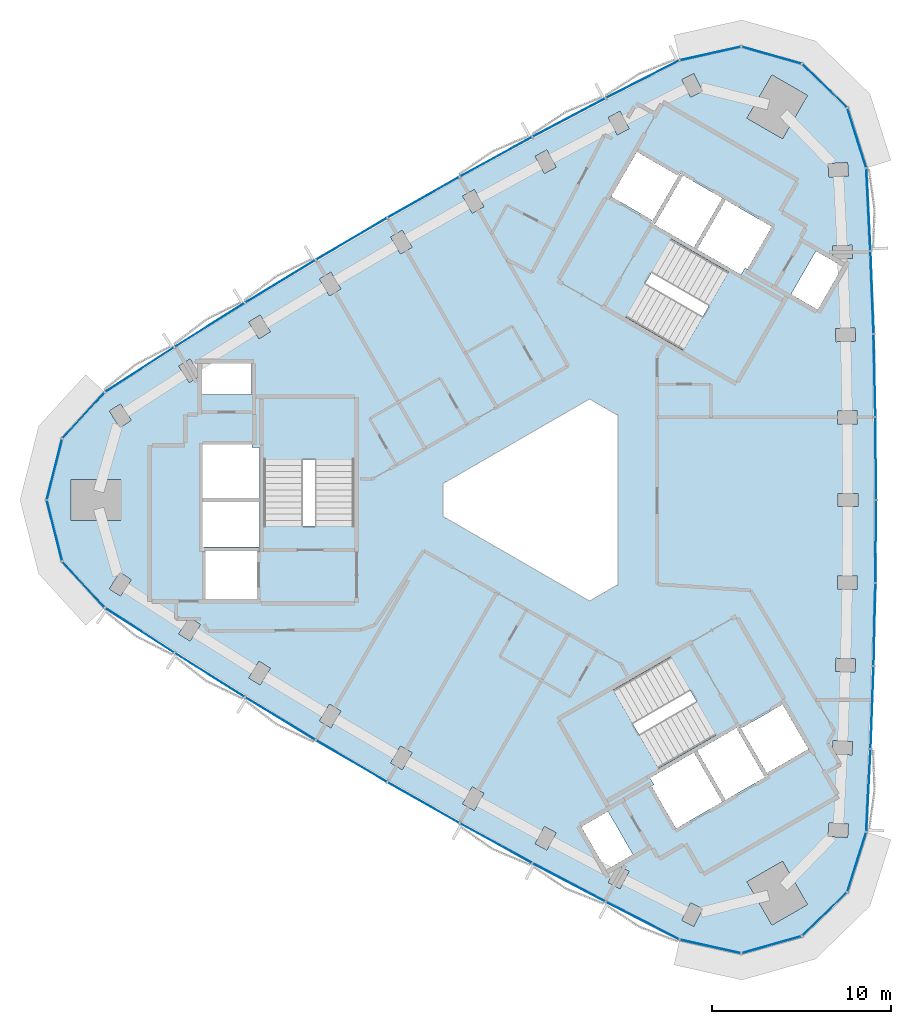
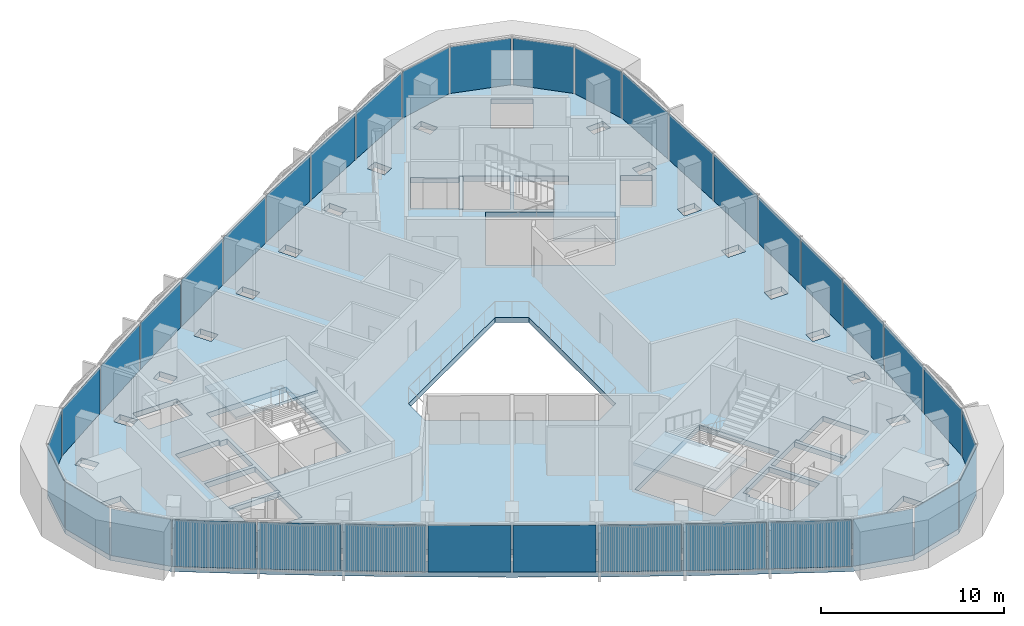
# One storey, part 7 of 14: 36 plates, 4 slabs, 6 elements without a shape of their own.
"""IFC4 building model written with IfcOpenShell, lengths in metres."""

import ifcopenshell
import ifcopenshell.guid

model = None  # the IFC model being written
_history = None  # IfcOwnerHistory: only IFC2X3 demands one
_inside = {}  # id of a spatial element -> (the spatial element, [elements in it])
_under = {}  # id of a project, library or spatial element -> (it, [spatial elements below it])
_declared = {}  # id of a project -> (the project, [libraries it declares])
_typed = {}  # id of a type object -> (the type object, [elements of that type])
_made_of = {}  # id of a material, layer set ... -> (it, [elements and type objects made of it])


def new_model(schema):
    """Start an empty IFC model of exactly this schema.

    Asked for "IFC4X3", IfcOpenShell would pick the latest addendum, in which some entities
    have other attributes; the version numbers below select the first issue.
    IFC2X3 requires an IfcOwnerHistory on every rooted entity: one is made here for all.
    """
    global model, _history
    if schema == "IFC4X3":
        model = ifcopenshell.file(schema_version=(4, 3, 0, 0))
    else:
        model = ifcopenshell.file(schema=schema)
    _inside.clear()
    _under.clear()
    _declared.clear()
    _typed.clear()
    _made_of.clear()
    _history = None
    if model.schema == "IFC2X3":
        org = make("IfcOrganization", Name="unknown")
        user = make(
            "IfcPersonAndOrganization",
            ThePerson=make("IfcPerson", FamilyName="unknown"),
            TheOrganization=org,
        )
        app = make(
            "IfcApplication",
            ApplicationDeveloper=org,
            Version="unknown",
            ApplicationFullName="unknown",
            ApplicationIdentifier="unknown",
        )
        _history = make(
            "IfcOwnerHistory",
            OwningUser=user,
            OwningApplication=app,
            ChangeAction="ADDED",
            CreationDate=0,
        )
    return model


def make(cls, **values):
    """One entity of the class cls with the attributes given. An attribute that is None is left unset."""
    return model.create_entity(
        cls, **{name: value for name, value in values.items() if value is not None}
    )


def rooted(cls, **values):
    """An entity with a GlobalId (a new one), such as an element, a storey or a relation."""
    return make(cls, GlobalId=ifcopenshell.guid.new(), OwnerHistory=_history, **values)


def si_unit(unit_type, name, prefix=None):
    """IfcSIUnit, for example si_unit("LENGTHUNIT", "METRE", prefix="MILLI")."""
    return make("IfcSIUnit", UnitType=unit_type, Prefix=prefix, Name=name)


def assignment(units):
    """IfcUnitAssignment: the units of a project."""
    return None if units is None else make("IfcUnitAssignment", Units=units)


def point(xyz):
    """IfcCartesianPoint."""
    return None if xyz is None else make("IfcCartesianPoint", Coordinates=xyz)


def direction(xyz):
    """IfcDirection."""
    return None if xyz is None else make("IfcDirection", DirectionRatios=xyz)


def frame(location, z_axis=None, x_axis=None):
    """IfcAxis2Placement3D, a coordinate frame: its origin and axes. An axis left out is left unset."""
    return make(
        "IfcAxis2Placement3D",
        Location=point(location),
        Axis=direction(z_axis),
        RefDirection=direction(x_axis),
    )


def frame_2d(location, x_axis=None):
    """IfcAxis2Placement2D, a coordinate frame in the plane: its origin and x axis."""
    return make(
        "IfcAxis2Placement2D", Location=point(location), RefDirection=direction(x_axis)
    )


def origin():
    """The frame at (0, 0, 0) with its axes left unset."""
    return frame((0.0, 0.0, 0.0))


def origin_2d():
    """The frame at (0, 0) in the plane with its x axis left unset."""
    return frame_2d((0.0, 0.0))


def place(relative_to, where):
    """IfcLocalPlacement: puts the frame where relative to a parent placement (None: the world)."""
    return make(
        "IfcLocalPlacement", PlacementRelTo=relative_to, RelativePlacement=where
    )


def context(
    kind, dimensions, precision=None, world=None, true_north=None, identifier=None
):
    """IfcGeometricRepresentationContext, for example the 3D "Model" context."""
    return make(
        "IfcGeometricRepresentationContext",
        ContextIdentifier=identifier,
        ContextType=kind,
        CoordinateSpaceDimension=dimensions,
        Precision=precision,
        WorldCoordinateSystem=world,
        TrueNorth=true_north,
    )


def subcontext(parent, identifier, kind, view, scale=None):
    """IfcGeometricRepresentationSubContext, for example "Body" below "Model"."""
    return make(
        "IfcGeometricRepresentationSubContext",
        ContextIdentifier=identifier,
        ContextType=kind,
        ParentContext=parent,
        TargetScale=scale,
        TargetView=view,
    )


def project(units=None, contexts=None):
    """IfcProject with its units and contexts."""
    return rooted(
        "IfcProject",
        Name="project",
        RepresentationContexts=contexts,
        UnitsInContext=assignment(units),
    )


def spatial(cls, under=None, at=None, **own):
    """A site, building, storey or space (cls), placed at a placement, below another one or the project."""
    s = rooted(cls, ObjectPlacement=at, **own)
    if under is not None:
        _under.setdefault(under.id(), (under, []))[1].append(s)
    return s


def polyline(points):
    """IfcPolyline through the points."""
    return make("IfcPolyline", Points=[point(p) for p in points])


def profile(cls, at=None, kind="AREA", **sizes):
    """A parametric profile (cls). Its sizes go by their IFC names, for example OverallWidth=200.0."""
    return make(cls, ProfileType=kind, Position=at, **sizes)


def rectangle(**sizes):
    """IfcRectangleProfileDef."""
    return profile("IfcRectangleProfileDef", **sizes)


def outline(outer, holes=None, kind="AREA"):
    """IfcArbitraryClosedProfileDef: a profile drawn as a closed curve; with holes, ...WithVoids."""
    if holes is None:
        return make("IfcArbitraryClosedProfileDef", ProfileType=kind, OuterCurve=outer)
    return make(
        "IfcArbitraryProfileDefWithVoids",
        ProfileType=kind,
        OuterCurve=outer,
        InnerCurves=holes,
    )


def extrude(swept, where, along, depth):
    """IfcExtrudedAreaSolid: the profile swept, set in the frame where, extruded along a direction by depth."""
    return make(
        "IfcExtrudedAreaSolid",
        SweptArea=swept,
        Position=where,
        ExtrudedDirection=direction(along),
        Depth=depth,
    )


def shape(context_of_items, identifier, shape_type, items):
    """IfcShapeRepresentation: the items that make up one representation, for example the "Body"."""
    return make(
        "IfcShapeRepresentation",
        ContextOfItems=context_of_items,
        RepresentationIdentifier=identifier,
        RepresentationType=shape_type,
        Items=items,
    )


def material(Name=None, Category=None):
    """IfcMaterial."""
    return make("IfcMaterial", Name=Name, Category=Category)


def layer(
    of_material, thickness, ventilated=None, Name=None, Category=None, Priority=None
):
    """IfcMaterialLayer: one layer of a wall or slab, of a material (None: an air gap)."""
    return make(
        "IfcMaterialLayer",
        Material=of_material,
        LayerThickness=thickness,
        IsVentilated=ventilated,
        Name=Name,
        Category=Category,
        Priority=Priority,
    )


def layer_set(layers, Name=None):
    """IfcMaterialLayerSet."""
    return make("IfcMaterialLayerSet", MaterialLayers=layers, LayerSetName=Name)


def made_of(thing, what):
    """Note that an element or type object is made of a material, layer set ...; save() writes the relation."""
    if what is not None:
        _made_of.setdefault(what.id(), (what, []))[1].append(thing)
    return thing


def type_object(cls, material=None, **own):
    """A type object (cls), such as IfcWallType, which elements share."""
    return made_of(rooted(cls, **own), material)


def element(
    cls,
    number,
    at=None,
    inside=None,
    cuts=None,
    type_object=None,
    material=None,
    context=None,
    identifier="Body",
    shape_type=None,
    held_by="IfcProductDefinitionShape",
    body=None,
    shapes=None,
    **own,
):
    """One element of the class cls, such as IfcWall. Its Tag is "e" and its number.

    at: its placement. inside: the storey or other place that contains it. cuts: it is an
    opening in that element (IfcRelVoidsElement). A single representation is given by context,
    identifier, shape_type and body (its items); several are given by shapes. held_by: the class
    of the entity that holds the representations. save() writes the other relations.
    """
    e = rooted(cls, Tag="e%d" % number, ObjectPlacement=at, **own)
    if body is not None:
        shapes = [shape(context, identifier, shape_type, body)]
    if shapes is not None:
        e.Representation = make(held_by, Representations=shapes)
    if inside is not None:
        _inside.setdefault(inside.id(), (inside, []))[1].append(e)
    if cuts is not None:
        rooted(
            "IfcRelVoidsElement", RelatingBuildingElement=cuts, RelatedOpeningElement=e
        )
    if type_object is not None:
        _typed.setdefault(type_object.id(), (type_object, []))[1].append(e)
    return made_of(e, material)


def aggregate(whole, parts):
    """IfcRelAggregates: a whole, such as a stair, and the parts it consists of."""
    return rooted("IfcRelAggregates", RelatingObject=whole, RelatedObjects=parts)


def save(model, path):
    """Write the relations noted so far, then the file.

    IfcRelAggregates (storeys below a building ...), IfcRelContainedInSpatialStructure (elements
    in a storey), IfcRelDefinesByType, IfcRelAssociatesMaterial and IfcRelDeclares: one each for
    every whole, place, type object, material and project.
    """
    for whole, parts in _under.values():
        aggregate(whole, parts)
    for where, things in _inside.values():
        rooted(
            "IfcRelContainedInSpatialStructure",
            RelatedElements=things,
            RelatingStructure=where,
        )
    for kind, things in _typed.values():
        rooted("IfcRelDefinesByType", RelatedObjects=things, RelatingType=kind)
    for what, things in _made_of.values():
        rooted("IfcRelAssociatesMaterial", RelatedObjects=things, RelatingMaterial=what)
    for by, libraries in _declared.values():
        rooted("IfcRelDeclares", RelatingContext=by, RelatedDefinitions=libraries)
    model.write(path)


model = new_model("IFC4")

# Units and contexts
model_context = context("Model", 3, precision=1e-05, world=origin(), true_north=direction((0.0, 1.0)))
body_context = subcontext(model_context, "Body", "Model", "MODEL_VIEW")
ifc_project = project(units=[si_unit("LENGTHUNIT", "METRE"), si_unit("AREAUNIT", "SQUARE_METRE"), si_unit("VOLUMEUNIT", "CUBIC_METRE"), si_unit("PLANEANGLEUNIT", "RADIAN"), si_unit("MASSUNIT", "GRAM", prefix="KILO")], contexts=[model_context])

# Site, building, storey
site_placement = place(None, origin())
site = spatial("IfcSite", under=ifc_project, at=site_placement, CompositionType="ELEMENT")
building_placement = place(site_placement, origin())
building = spatial("IfcBuilding", under=site, at=building_placement, Name="Tamra Quay Hotel Tower", CompositionType="ELEMENT")
storey_placement = place(building_placement, frame((0.0, 0.0, 228.60009765625)))
storey = spatial("IfcBuildingStorey", under=building, at=storey_placement, Name="L57", CompositionType="ELEMENT", Elevation=228.60009765625)

# Stair, slab
ifc_material_1 = material(Name="Exit stair 2200 24 risers 150.0 going 342")
stair_type = type_object("IfcStairType", Name="Exit stair 2200 24 risers 150.0 going 342", PredefinedType="HALF_TURN_STAIR", material=ifc_material_1)
stair_1_placement = place(storey_placement, origin())
stair_1 = element("IfcStair", 1, at=stair_1_placement, inside=storey, type_object=stair_type, Name="L57 Exit stair ST3", PredefinedType="HALF_TURN_STAIR")
ifc_material_2 = material(Name="Concrete M70", Category="concrete")
ifc_layer_1 = layer(ifc_material_2, 0.175048828125)
ifc_layer_set_1 = layer_set([ifc_layer_1], Name="Concrete M70 stair landing 180")
slab_type_1 = type_object("IfcSlabType", Name="Concrete M70 stair landing 180", PredefinedType="LANDING", material=ifc_layer_set_1)
slab_1_placement = place(storey_placement, frame((0.0, 0.0, 1.625)))
slab_1 = element("IfcSlab", 2, at=slab_1_placement, type_object=slab_type_1, Name="ST3 landing 1", PredefinedType="LANDING", context=body_context, shape_type="SweptSolid", body=[
    extrude(outline(polyline([(-10.932373046875, 2.261962890625), (-10.932373046875, 5.679931640625), (-16.09130859375, 5.679931640625), (-16.09130859375, 2.261962890625), (-10.932373046875, 2.261962890625)])), origin(), (0.0, 0.0, 1.0), 0.1748046875),
])
aggregate(stair_1, [slab_1])

stair_2_placement = place(storey_placement, origin())
stair_2 = element("IfcStair", 3, at=stair_2_placement, inside=storey, type_object=stair_type, Name="L57 Exit stair ST1", PredefinedType="HALF_TURN_STAIR")
slab_2_placement = place(storey_placement, frame((0.0, 0.0, 1.625)))
slab_2 = element("IfcSlab", 4, at=slab_2_placement, type_object=slab_type_1, Name="ST1 landing 1", PredefinedType="LANDING", context=body_context, shape_type="SweptSolid", body=[
    extrude(outline(polyline([(7.425048828125, 8.336669921875), (10.385009765625, 6.627685546875), (12.964599609375, 11.095458984375), (10.00439453125, 12.804443359375), (7.425048828125, 8.336669921875)])), origin(), (0.0, 0.0, 1.0), 0.1748046875),
])
aggregate(stair_2, [slab_2])

stair_3_placement = place(storey_placement, origin())
stair_3 = element("IfcStair", 5, at=stair_3_placement, inside=storey, type_object=stair_type, Name="L57 Exit stair ST2", PredefinedType="HALF_TURN_STAIR")
slab_3_placement = place(storey_placement, frame((0.0, 0.0, 1.625)))
slab_3 = element("IfcSlab", 6, at=slab_3_placement, type_object=slab_type_1, Name="ST2 landing 1", PredefinedType="LANDING", context=body_context, shape_type="SweptSolid", body=[
    extrude(outline(polyline([(3.50732421875, -10.5986328125), (0.547119140625, -12.3076171875), (3.126708984375, -16.775390625), (6.086669921875, -15.06640625), (3.50732421875, -10.5986328125)])), origin(), (0.0, 0.0, 1.0), 0.1748046875),
])
aggregate(stair_3, [slab_3])

# Slab
ifc_material_3 = material(Name="Concrete M60", Category="concrete")
ifc_layer_2 = layer(ifc_material_3, 0.35009765625)
ifc_layer_set_2 = layer_set([ifc_layer_2], Name="FLOOR SLAB PT 350")
slab_type_2 = type_object("IfcSlabType", Name="FLOOR SLAB PT 350", PredefinedType="FLOOR", material=ifc_layer_set_2)
slab_4_placement = place(storey_placement, frame((0.0, 0.0, -0.35009765625)))
element("IfcSlab", 7, at=slab_4_placement, inside=storey, type_object=slab_type_2, Name="SLAB-L57", PredefinedType="FLOOR", context=body_context, shape_type="SweptSolid", body=[
    extrude(outline(polyline([(17.935791015625, 13.94091796875), (18.106689453125, 9.29541015625), (18.208984375, 4.648681640625), (18.243408203125, 0.0), (18.208984375, -4.648681640625), (18.106689453125, -9.29541015625), (17.935791015625, -13.94091796875), (17.69677734375, -18.5830078125), (16.633056640625, -21.9541015625), (14.09716796875, -24.4169921875), (10.6962890625, -25.3818359375), (7.244873046875, -24.617431640625), (3.105224609375, -22.50341796875), (-1.00341796875, -20.328369140625), (-5.078857421875, -18.093994140625), (-9.12158203125, -15.79931640625), (-13.13037109375, -13.4453125), (-17.103271484375, -11.033203125), (-21.041015625, -8.5625), (-24.941650390625, -6.034423828125), (-27.329345703125, -3.427490234375), (-28.1943359375, 0.0), (-27.329345703125, 3.427490234375), (-24.941650390625, 6.034423828125), (-21.041015625, 8.5625), (-17.103271484375, 11.033203125), (-13.13037109375, 13.4453125), (-9.12158203125, 15.79931640625), (-5.078857421875, 18.093994140625), (-1.00341796875, 20.328369140625), (3.105224609375, 22.50341796875), (7.244873046875, 24.617431640625), (10.6962890625, 25.3818359375), (14.09716796875, 24.4169921875), (16.633056640625, 21.9541015625), (17.69677734375, 18.5830078125), (17.935791015625, 13.94091796875)]), holes=[polyline([(-8.9345703125, -14.724853515625), (-8.284912109375, -15.099853515625), (-7.73486328125, -14.147216796875), (-8.384521484375, -13.772216796875), (-8.9345703125, -14.724853515625)]), polyline([(-12.927001953125, -12.373779296875), (-12.283203125, -12.758544921875), (-11.718994140625, -11.814208984375), (-12.36279296875, -11.4296875), (-12.927001953125, -12.373779296875)]), polyline([(-16.885009765625, -9.964599609375), (-16.24658203125, -10.3583984375), (-15.669189453125, -9.422119140625), (-16.3076171875, -9.0283203125), (-16.885009765625, -9.964599609375)]), polyline([(-20.21533203125, -6.56982421875), (-20.806640625, -7.497314453125), (-20.17431640625, -7.900634765625), (-19.5830078125, -6.972900390625), (-20.21533203125, -6.56982421875)]), polyline([(-24.08740234375, -4.05419921875), (-24.69189453125, -4.972900390625), (-24.0654296875, -5.38525390625), (-23.460693359375, -4.46630859375), (-24.08740234375, -4.05419921875)]), polyline([(-19.4072265625, -2.85498046875), (-19.4072265625, -2.89306640625), (-19.307373046875, -2.89306640625), (-19.307373046875, -5.544921875), (-16.417236328125, -5.544921875), (-16.417236328125, -2.89306640625), (-16.3173828125, -2.89306640625), (-16.3173828125, -2.85498046875), (-19.4072265625, -2.85498046875)]), polyline([(-19.417236328125, -2.89306640625), (-19.417236328125, -2.64501953125), (-16.307373046875, -2.64501953125), (-16.307373046875, -2.89306640625), (-16.26708984375, -2.89306640625), (-16.26708984375, -0.10498046875), (-19.45751953125, -0.10498046875), (-19.45751953125, -2.89306640625), (-19.417236328125, -2.89306640625)]), polyline([(-24.0205078125, 1.14990234375), (-26.8203125, 1.14990234375), (-26.8203125, -1.14990234375), (-24.0205078125, -1.14990234375), (-24.0205078125, 1.14990234375)]), polyline([(-16.707275390625, 2.945068359375), (-16.707275390625, 3.09521484375), (-19.45751953125, 3.09521484375), (-19.45751953125, 0.10498046875), (-16.26708984375, 0.10498046875), (-16.26708984375, 2.945068359375), (-16.707275390625, 2.945068359375)]), polyline([(-16.036376953125, -1.455078125), (-10.9873046875, -1.455078125), (-10.9873046875, 5.625), (-16.036376953125, 5.625), (-16.036376953125, -1.455078125)]), polyline([(-23.460693359375, 4.46630859375), (-24.0654296875, 5.38525390625), (-24.69189453125, 4.972900390625), (-24.08740234375, 4.05419921875), (-23.460693359375, 4.46630859375)]), polyline([(-19.50732421875, 7.64501953125), (-19.50732421875, 5.9150390625), (-16.71728515625, 5.9150390625), (-16.71728515625, 7.64501953125), (-19.50732421875, 7.64501953125)]), polyline([(-19.5830078125, 6.972900390625), (-20.17431640625, 7.900634765625), (-20.806640625, 7.497314453125), (-20.21533203125, 6.56982421875), (-19.5830078125, 6.972900390625)]), polyline([(-15.669189453125, 9.422119140625), (-16.24658203125, 10.3583984375), (-16.885009765625, 9.964599609375), (-16.3076171875, 9.0283203125), (-15.669189453125, 9.422119140625)]), polyline([(-12.283203125, 12.758544921875), (-12.927001953125, 12.373779296875), (-12.36279296875, 11.4296875), (-11.718994140625, 11.814208984375), (-12.283203125, 12.758544921875)]), polyline([(-7.73486328125, 14.147216796875), (-8.284912109375, 15.099853515625), (-8.9345703125, 14.724853515625), (-8.384521484375, 13.772216796875), (-7.73486328125, 14.147216796875)]), polyline([(7.8623046875, -22.55078125), (7.368896484375, -23.533935546875), (8.039306640625, -23.870361328125), (8.53271484375, -22.88720703125), (7.8623046875, -22.55078125)]), polyline([(3.2451171875, -21.421875), (3.910400390625, -21.767822265625), (4.41796875, -20.7919921875), (3.752685546875, -20.44580078125), (3.2451171875, -21.421875)]), polyline([(1.73779296875, -18.300048828125), (3.1328125, -20.71630859375), (4.631103515625, -19.851318359375), (3.236083984375, -17.43505859375), (1.73779296875, -18.300048828125)]), polyline([(-0.3251953125, -18.281005859375), (-0.847412109375, -19.2490234375), (-0.187255859375, -19.60498046875), (0.334716796875, -18.636962890625), (-0.3251953125, -18.281005859375)]), polyline([(-4.90771484375, -17.016845703125), (-4.252685546875, -17.382080078125), (-3.716796875, -16.42138671875), (-4.3720703125, -16.05615234375), (-4.90771484375, -17.016845703125)]), polyline([(5.5830078125, -15.560302734375), (5.80322265625, -15.94140625), (5.673095703125, -16.0166015625), (7.04833984375, -18.398193359375), (9.6376953125, -16.903076171875), (8.042724609375, -14.14013671875), (5.5830078125, -15.560302734375)]), polyline([(12.214111328125, -15.369384765625), (11.999267578125, -15.493408203125), (10.4443359375, -12.800048828125), (10.6591796875, -12.676025390625), (10.63916015625, -12.64111328125), (8.224609375, -14.03515625), (9.819580078125, -16.798095703125), (12.234130859375, -15.404052734375), (12.214111328125, -15.369384765625)]), polyline([(6.75390625, -8.78759765625), (0.622314453125, -12.32763671875), (3.146728515625, -16.7001953125), (9.2783203125, -13.160400390625), (6.75390625, -8.78759765625)]), polyline([(-6.0, 0.923828125), (-6.0, -0.923828125), (2.199951171875, -5.657958984375), (3.800048828125, -4.734375), (3.800048828125, 4.734375), (2.199951171875, 5.657958984375), (-6.0, 0.923828125)]), polyline([(4.2333984375, 10.242919921875), (10.364990234375, 6.702880859375), (12.889404296875, 11.075439453125), (6.758056640625, 14.615478515625), (4.2333984375, 10.242919921875)]), polyline([(7.203125, 18.262451171875), (7.41796875, 18.138427734375), (5.863037109375, 15.445068359375), (5.648193359375, 15.569091796875), (5.628173828125, 15.5341796875), (8.04248046875, 14.140380859375), (9.6376953125, 16.903076171875), (7.22314453125, 18.297119140625), (7.203125, 18.262451171875)]), polyline([(-3.716796875, 16.42138671875), (-4.252685546875, 17.382080078125), (-4.90771484375, 17.016845703125), (-4.3720703125, 16.05615234375), (-3.716796875, 16.42138671875)]), polyline([(7.231201171875, 18.234619140625), (7.1982421875, 18.253662109375), (7.148193359375, 18.1669921875), (4.8515625, 19.4931640625), (3.406494140625, 16.990234375), (5.703125, 15.664306640625), (5.6533203125, 15.57763671875), (5.68603515625, 15.55859375), (7.231201171875, 18.234619140625)]), polyline([(0.334716796875, 18.636962890625), (-0.187255859375, 19.60498046875), (-0.847412109375, 19.2490234375), (-0.3251953125, 18.281005859375), (0.334716796875, 18.636962890625)]), polyline([(4.41796875, 20.7919921875), (3.910400390625, 21.767822265625), (3.2451171875, 21.421875), (3.752685546875, 20.44580078125), (4.41796875, 20.7919921875)]), polyline([(8.039306640625, 23.870361328125), (7.368896484375, 23.533935546875), (7.8623046875, 22.55078125), (8.53271484375, 22.88720703125), (8.039306640625, 23.870361328125)]), polyline([(11.014404296875, -21.377197265625), (12.414306640625, -23.802001953125), (14.406005859375, -22.652099609375), (13.006103515625, -20.227294921875), (11.014404296875, -21.377197265625)]), polyline([(15.554443359375, -18.8330078125), (16.652587890625, -18.8974609375), (16.696533203125, -18.148681640625), (15.598388671875, -18.08447265625), (15.554443359375, -18.8330078125)]), polyline([(16.896240234375, -14.2705078125), (16.92919921875, -13.52099609375), (15.830322265625, -13.472900390625), (15.79736328125, -14.22216796875), (16.896240234375, -14.2705078125)]), polyline([(10.631103515625, -12.70361328125), (12.176025390625, -15.379638671875), (12.208984375, -15.360595703125), (12.1591796875, -15.274169921875), (14.455810546875, -13.947998046875), (13.0107421875, -11.4453125), (10.714111328125, -12.771240234375), (10.6640625, -12.6845703125), (10.631103515625, -12.70361328125)]), polyline([(15.97265625, -9.6083984375), (17.072265625, -9.640380859375), (17.093994140625, -8.890625), (15.994384765625, -8.85888671875), (15.97265625, -9.6083984375)]), polyline([(17.1796875, -5.00830078125), (17.19091796875, -4.25830078125), (16.091064453125, -4.24169921875), (16.079833984375, -4.99169921875), (17.1796875, -5.00830078125)]), polyline([(16.119384765625, -0.375), (17.219482421875, -0.375), (17.219482421875, 0.375), (16.119384765625, 0.375), (16.119384765625, -0.375)]), polyline([(16.091064453125, 4.24169921875), (17.19091796875, 4.25830078125), (17.1796875, 5.00830078125), (16.079833984375, 4.99169921875), (16.091064453125, 4.24169921875)]), polyline([(17.093994140625, 8.890625), (17.072265625, 9.640380859375), (15.97265625, 9.6083984375), (15.994384765625, 8.85888671875), (17.093994140625, 8.890625)]), polyline([(14.9794921875, 10.655029296875), (16.37451171875, 13.0712890625), (14.876220703125, 13.936279296875), (13.481201171875, 11.52001953125), (14.9794921875, 10.655029296875)]), polyline([(15.830322265625, 13.472900390625), (16.92919921875, 13.52099609375), (16.896240234375, 14.2705078125), (15.79736328125, 14.22216796875), (15.830322265625, 13.472900390625)]), polyline([(10.904052734375, 12.996337890625), (11.0341796875, 12.92138671875), (12.4091796875, 15.302978515625), (9.819580078125, 16.798095703125), (8.224365234375, 14.035400390625), (10.68408203125, 12.615234375), (10.904052734375, 12.996337890625)]), polyline([(15.598388671875, 18.08447265625), (16.696533203125, 18.148681640625), (16.652587890625, 18.8974609375), (15.554443359375, 18.8330078125), (15.598388671875, 18.08447265625)]), polyline([(13.006103515625, 20.227294921875), (14.406005859375, 22.652099609375), (12.414306640625, 23.802001953125), (11.014404296875, 21.377197265625), (13.006103515625, 20.227294921875)])]), origin(), (0.0, 0.0, 1.0), 0.35009765625),
])

# Curtain wall, plates
ifc_material_4 = material(Name="Aluminium 6063 anodised dark grey", Category="aluminium")
curtain_wall_type_1 = type_object("IfcCurtainWallType", Name="CW1 CURTAIN WALL", PredefinedType="NOTDEFINED", material=ifc_material_4)
curtain_wall_1_placement = place(storey_placement, origin())
curtain_wall_1 = element("IfcCurtainWall", 8, at=curtain_wall_1_placement, inside=storey, type_object=curtain_wall_type_1, Name="CW1 east face L57", PredefinedType="NOTDEFINED")
ifc_material_5 = material(Name="Glass clear laminated low-iron", Category="glass")
ifc_layer_3 = layer(ifc_material_5, 0.028076171875)
ifc_layer_set_3 = layer_set([ifc_layer_3], Name="GLASS PANEL CW1 Z5")
plate_type_1 = type_object("IfcPlateType", Name="GLASS PANEL CW1 Z5", PredefinedType="CURTAIN_PANEL", material=ifc_layer_set_3)
plate_1_placement = place(storey_placement, frame((17.81640625, -16.261962890625, 0.0), z_axis=(0.0, 0.0, 1.0), x_axis=(0.051403368539, 0.998677972974, 0.0)))
plate_1 = element("IfcPlate", 9, at=plate_1_placement, type_object=plate_type_1, Name="CW1 glass L57.E.1", PredefinedType="CURTAIN_PANEL", context=body_context, shape_type="SweptSolid", body=[
    extrude(rectangle(XDim=4.54833984375, YDim=0.028076171875, at=origin_2d()), origin(), (0.0, 0.0, 1.0), 3.110107421875),
])
plate_2_placement = place(storey_placement, frame((18.021240234375, -11.617919921875, 0.0), z_axis=(0.0, 0.0, 1.0), x_axis=(0.036744655796, 0.999324687111, 0.0)))
plate_2 = element("IfcPlate", 10, at=plate_2_placement, type_object=plate_type_1, Name="CW1 glass L57.E.2", PredefinedType="CURTAIN_PANEL", context=body_context, shape_type="SweptSolid", body=[
    extrude(rectangle(XDim=4.548583984375, YDim=0.028076171875, at=origin_2d()), origin(), (0.0, 0.0, 1.0), 3.110107421875),
])
plate_3_placement = place(storey_placement, frame((18.157958984375, -6.971923828125, 0.0), z_axis=(0.0, 0.0, 1.0), x_axis=(0.022062883967, 0.99975658495, 0.0)))
plate_3 = element("IfcPlate", 11, at=plate_3_placement, type_object=plate_type_1, Name="CW1 glass L57.E.3", PredefinedType="CURTAIN_PANEL", context=body_context, shape_type="SweptSolid", body=[
    extrude(rectangle(XDim=4.5478515625, YDim=0.028076171875, at=origin_2d()), origin(), (0.0, 0.0, 1.0), 3.110107421875),
])
plate_4_placement = place(storey_placement, frame((18.226318359375, -2.32421875, 0.0), z_axis=(0.0, 0.0, 1.0), x_axis=(0.007361813182, 0.999972901486, 0.0)))
plate_4 = element("IfcPlate", 12, at=plate_4_placement, type_object=plate_type_1, Name="CW1 glass L57.E.4", PredefinedType="CURTAIN_PANEL", context=body_context, shape_type="SweptSolid", body=[
    extrude(rectangle(XDim=4.548828125, YDim=0.028076171875, at=origin_2d()), origin(), (0.0, 0.0, 1.0), 3.110107421875),
])
plate_5_placement = place(storey_placement, frame((18.226318359375, 2.32421875, 0.0), z_axis=(0.0, 0.0, 1.0), x_axis=(-0.007361813182, 0.999972901486, 0.0)))
plate_5 = element("IfcPlate", 13, at=plate_5_placement, type_object=plate_type_1, Name="CW1 glass L57.E.5", PredefinedType="CURTAIN_PANEL", context=body_context, shape_type="SweptSolid", body=[
    extrude(rectangle(XDim=4.548828125, YDim=0.028076171875, at=origin_2d()), origin(), (0.0, 0.0, 1.0), 3.110107421875),
])
plate_6_placement = place(storey_placement, frame((18.157958984375, 6.971923828125, 0.0), z_axis=(0.0, 0.0, 1.0), x_axis=(-0.022062883967, 0.99975658495, 0.0)))
plate_6 = element("IfcPlate", 14, at=plate_6_placement, type_object=plate_type_1, Name="CW1 glass L57.E.6", PredefinedType="CURTAIN_PANEL", context=body_context, shape_type="SweptSolid", body=[
    extrude(rectangle(XDim=4.5478515625, YDim=0.028076171875, at=origin_2d()), origin(), (0.0, 0.0, 1.0), 3.110107421875),
])
plate_7_placement = place(storey_placement, frame((18.021240234375, 11.617919921875, 0.0), z_axis=(0.0, 0.0, 1.0), x_axis=(-0.036744655796, 0.999324687111, 0.0)))
plate_7 = element("IfcPlate", 15, at=plate_7_placement, type_object=plate_type_1, Name="CW1 glass L57.E.7", PredefinedType="CURTAIN_PANEL", context=body_context, shape_type="SweptSolid", body=[
    extrude(rectangle(XDim=4.548583984375, YDim=0.028076171875, at=origin_2d()), origin(), (0.0, 0.0, 1.0), 3.110107421875),
])
plate_8_placement = place(storey_placement, frame((17.81640625, 16.261962890625, 0.0), z_axis=(0.0, 0.0, 1.0), x_axis=(-0.051403368539, 0.998677972974, 0.0)))
plate_8 = element("IfcPlate", 16, at=plate_8_placement, type_object=plate_type_1, Name="CW1 glass L57.E.8", PredefinedType="CURTAIN_PANEL", context=body_context, shape_type="SweptSolid", body=[
    extrude(rectangle(XDim=4.54833984375, YDim=0.028076171875, at=origin_2d()), origin(), (0.0, 0.0, 1.0), 3.110107421875),
])
plate_9_placement = place(storey_placement, frame((17.1650390625, 20.2685546875, 0.0), z_axis=(0.0, 0.0, 1.0), x_axis=(-0.30090299279, 0.95365475353, 0.0)))
plate_9 = element("IfcPlate", 17, at=plate_9_placement, type_object=plate_type_1, Name="CW1 glass L57.E.9", PredefinedType="CURTAIN_PANEL", context=body_context, shape_type="SweptSolid", body=[
    extrude(rectangle(XDim=3.43505859375, YDim=0.028076171875, at=origin_2d()), origin(), (0.0, 0.0, 1.0), 3.110107421875),
])
plate_10_placement = place(storey_placement, frame((15.365234375, 23.185546875, 0.0), z_axis=(0.0, 0.0, 1.0), x_axis=(-0.717364100925, 0.696698461821, 0.0)))
plate_10 = element("IfcPlate", 18, at=plate_10_placement, type_object=plate_type_1, Name="CW1 glass L57.E.10", PredefinedType="CURTAIN_PANEL", context=body_context, shape_type="SweptSolid", body=[
    extrude(rectangle(XDim=3.43505859375, YDim=0.028076171875, at=origin_2d()), origin(), (0.0, 0.0, 1.0), 3.110107421875),
])
plate_11_placement = place(storey_placement, frame((12.396728515625, 24.8994140625, 0.0), z_axis=(0.0, 0.0, 1.0), x_axis=(-0.962040617177, 0.272906304254, 0.0)))
plate_11 = element("IfcPlate", 19, at=plate_11_placement, type_object=plate_type_1, Name="CW1 glass L57.E.11", PredefinedType="CURTAIN_PANEL", context=body_context, shape_type="SweptSolid", body=[
    extrude(rectangle(XDim=3.43505859375, YDim=0.028076171875, at=origin_2d()), origin(), (0.0, 0.0, 1.0), 3.110107421875),
])
plate_12_placement = place(storey_placement, frame((8.970458984375, 24.99951171875, 0.0), z_axis=(0.0, 0.0, 1.0), x_axis=(-0.976340739392, -0.216237740934, 0.0)))
plate_12 = element("IfcPlate", 20, at=plate_12_placement, type_object=plate_type_1, Name="CW1 glass L57.E.12", PredefinedType="CURTAIN_PANEL", context=body_context, shape_type="SweptSolid", body=[
    extrude(rectangle(XDim=3.43505859375, YDim=0.028076171875, at=origin_2d()), origin(), (0.0, 0.0, 1.0), 3.110107421875),
])
aggregate(curtain_wall_1, [plate_1, plate_2, plate_3, plate_4, plate_5, plate_6, plate_7, plate_8, plate_9, plate_10, plate_11, plate_12])

curtain_wall_type_2 = type_object("IfcCurtainWallType", Name="CW2 CURTAIN WALL", PredefinedType="NOTDEFINED", material=ifc_material_4)
curtain_wall_2_placement = place(storey_placement, origin())
curtain_wall_2 = element("IfcCurtainWall", 21, at=curtain_wall_2_placement, inside=storey, type_object=curtain_wall_type_2, Name="CW2 north-west face L57", PredefinedType="NOTDEFINED")
ifc_layer_4 = layer(ifc_material_5, 0.028076171875)
ifc_layer_set_4 = layer_set([ifc_layer_4], Name="GLASS PANEL CW2 Z5")
plate_type_2 = type_object("IfcPlateType", Name="GLASS PANEL CW2 Z5", PredefinedType="CURTAIN_PANEL", material=ifc_layer_set_4)
plate_13_placement = place(storey_placement, frame((5.175048828125, 23.560302734375, 0.0), z_axis=(0.0, 0.0, 1.0), x_axis=(-0.890582179064, -0.454822363492, 0.0)))
plate_13 = element("IfcPlate", 22, at=plate_13_placement, type_object=plate_type_2, Name="CW2 glass L57.NW.1", PredefinedType="CURTAIN_PANEL", context=body_context, shape_type="SweptSolid", body=[
    extrude(rectangle(XDim=4.54833984375, YDim=0.028076171875, at=origin_2d()), origin(), (0.0, 0.0, 1.0), 3.110107421875),
])
plate_14_placement = place(storey_placement, frame((1.051025390625, 21.415771484375, 0.0), z_axis=(0.0, 0.0, 1.0), x_axis=(-0.883812893566, -0.467840538183, 0.0)))
plate_14 = element("IfcPlate", 23, at=plate_14_placement, type_object=plate_type_2, Name="CW2 glass L57.NW.2", PredefinedType="CURTAIN_PANEL", context=body_context, shape_type="SweptSolid", body=[
    extrude(rectangle(XDim=4.548583984375, YDim=0.028076171875, at=origin_2d()), origin(), (0.0, 0.0, 1.0), 3.110107421875),
])
plate_15_placement = place(storey_placement, frame((-3.041015625, 19.211181640625, 0.0), z_axis=(0.0, 0.0, 1.0), x_axis=(-0.876846042151, -0.480771274479, 0.0)))
plate_15 = element("IfcPlate", 24, at=plate_15_placement, type_object=plate_type_2, Name="CW2 glass L57.NW.3", PredefinedType="CURTAIN_PANEL", context=body_context, shape_type="SweptSolid", body=[
    extrude(rectangle(XDim=4.5478515625, YDim=0.028076171875, at=origin_2d()), origin(), (0.0, 0.0, 1.0), 3.110107421875),
])
plate_16_placement = place(storey_placement, frame((-7.100341796875, 16.946533203125, 0.0), z_axis=(0.0, 0.0, 1.0), x_axis=(-0.869682842374, -0.493610933509, 0.0)))
plate_16 = element("IfcPlate", 25, at=plate_16_placement, type_object=plate_type_2, Name="CW2 glass L57.NW.4", PredefinedType="CURTAIN_PANEL", context=body_context, shape_type="SweptSolid", body=[
    extrude(rectangle(XDim=4.548828125, YDim=0.028076171875, at=origin_2d()), origin(), (0.0, 0.0, 1.0), 3.110107421875),
])
plate_17_placement = place(storey_placement, frame((-11.1259765625, 14.622314453125, 0.0), z_axis=(0.0, 0.0, 1.0), x_axis=(-0.862321029192, -0.506361967977, 0.0)))
plate_17 = element("IfcPlate", 26, at=plate_17_placement, type_object=plate_type_2, Name="CW2 glass L57.NW.5", PredefinedType="CURTAIN_PANEL", context=body_context, shape_type="SweptSolid", body=[
    extrude(rectangle(XDim=4.548828125, YDim=0.028076171875, at=origin_2d()), origin(), (0.0, 0.0, 1.0), 3.110107421875),
])
plate_18_placement = place(storey_placement, frame((-15.11669921875, 12.2392578125, 0.0), z_axis=(0.0, 0.0, 1.0), x_axis=(-0.854783158184, -0.518985310471, 0.0)))
plate_18 = element("IfcPlate", 27, at=plate_18_placement, type_object=plate_type_2, Name="CW2 glass L57.NW.6", PredefinedType="CURTAIN_PANEL", context=body_context, shape_type="SweptSolid", body=[
    extrude(rectangle(XDim=4.5478515625, YDim=0.028076171875, at=origin_2d()), origin(), (0.0, 0.0, 1.0), 3.110107421875),
])
plate_19_placement = place(storey_placement, frame((-19.072021484375, 9.7978515625, 0.0), z_axis=(0.0, 0.0, 1.0), x_axis=(-0.847068237769, -0.531484148929, 0.0)))
plate_19 = element("IfcPlate", 28, at=plate_19_placement, type_object=plate_type_2, Name="CW2 glass L57.NW.7", PredefinedType="CURTAIN_PANEL", context=body_context, shape_type="SweptSolid", body=[
    extrude(rectangle(XDim=4.548583984375, YDim=0.028076171875, at=origin_2d()), origin(), (0.0, 0.0, 1.0), 3.110107421875),
])
plate_20_placement = place(storey_placement, frame((-22.991455078125, 7.29833984375, 0.0), z_axis=(0.0, 0.0, 1.0), x_axis=(-0.839178810526, -0.543855609481, 0.0)))
plate_20 = element("IfcPlate", 29, at=plate_20_placement, type_object=plate_type_2, Name="CW2 glass L57.NW.8", PredefinedType="CURTAIN_PANEL", context=body_context, shape_type="SweptSolid", body=[
    extrude(rectangle(XDim=4.54833984375, YDim=0.028076171875, at=origin_2d()), origin(), (0.0, 0.0, 1.0), 3.110107421875),
])
plate_21_placement = place(storey_placement, frame((-26.135498046875, 4.73095703125, 0.0), z_axis=(0.0, 0.0, 1.0), x_axis=(-0.675437746601, -0.737417012596, 0.0)))
plate_21 = element("IfcPlate", 30, at=plate_21_placement, type_object=plate_type_2, Name="CW2 glass L57.NW.9", PredefinedType="CURTAIN_PANEL", context=body_context, shape_type="SweptSolid", body=[
    extrude(rectangle(XDim=3.43505859375, YDim=0.028076171875, at=origin_2d()), origin(), (0.0, 0.0, 1.0), 3.110107421875),
])
plate_22_placement = place(storey_placement, frame((-27.761962890625, 1.7138671875, 0.0), z_axis=(0.0, 0.0, 1.0), x_axis=(-0.244676516252, -0.969604766075, 0.0)))
plate_22 = element("IfcPlate", 31, at=plate_22_placement, type_object=plate_type_2, Name="CW2 glass L57.NW.10", PredefinedType="CURTAIN_PANEL", context=body_context, shape_type="SweptSolid", body=[
    extrude(rectangle(XDim=3.43505859375, YDim=0.028076171875, at=origin_2d()), origin(), (0.0, 0.0, 1.0), 3.110107421875),
])
plate_23_placement = place(storey_placement, frame((-27.761962890625, -1.7138671875, 0.0), z_axis=(0.0, 0.0, 1.0), x_axis=(0.244676516252, -0.969604766075, 0.0)))
plate_23 = element("IfcPlate", 32, at=plate_23_placement, type_object=plate_type_2, Name="CW2 glass L57.NW.11", PredefinedType="CURTAIN_PANEL", context=body_context, shape_type="SweptSolid", body=[
    extrude(rectangle(XDim=3.43505859375, YDim=0.028076171875, at=origin_2d()), origin(), (0.0, 0.0, 1.0), 3.110107421875),
])
plate_24_placement = place(storey_placement, frame((-26.135498046875, -4.73095703125, 0.0), z_axis=(0.0, 0.0, 1.0), x_axis=(0.675437746601, -0.737417012596, 0.0)))
plate_24 = element("IfcPlate", 33, at=plate_24_placement, type_object=plate_type_2, Name="CW2 glass L57.NW.12", PredefinedType="CURTAIN_PANEL", context=body_context, shape_type="SweptSolid", body=[
    extrude(rectangle(XDim=3.43505859375, YDim=0.028076171875, at=origin_2d()), origin(), (0.0, 0.0, 1.0), 3.110107421875),
])
aggregate(curtain_wall_2, [plate_13, plate_14, plate_15, plate_16, plate_17, plate_18, plate_19, plate_20, plate_21, plate_22, plate_23, plate_24])

curtain_wall_type_3 = type_object("IfcCurtainWallType", Name="CW3 CURTAIN WALL", PredefinedType="NOTDEFINED", material=ifc_material_4)
curtain_wall_3_placement = place(storey_placement, origin())
curtain_wall_3 = element("IfcCurtainWall", 34, at=curtain_wall_3_placement, inside=storey, type_object=curtain_wall_type_3, Name="CW3 south-west face L57", PredefinedType="NOTDEFINED")
ifc_layer_5 = layer(ifc_material_5, 0.028076171875)
ifc_layer_set_5 = layer_set([ifc_layer_5], Name="GLASS PANEL CW3 Z5")
plate_type_3 = type_object("IfcPlateType", Name="GLASS PANEL CW3 Z5", PredefinedType="CURTAIN_PANEL", material=ifc_layer_set_5)
plate_25_placement = place(storey_placement, frame((-22.991455078125, -7.29833984375, 0.0), z_axis=(0.0, 0.0, 1.0), x_axis=(0.839178810526, -0.543855609481, 0.0)))
plate_25 = element("IfcPlate", 35, at=plate_25_placement, type_object=plate_type_3, Name="CW3 glass L57.SW.1", PredefinedType="CURTAIN_PANEL", context=body_context, shape_type="SweptSolid", body=[
    extrude(rectangle(XDim=4.54833984375, YDim=0.028076171875, at=origin_2d()), origin(), (0.0, 0.0, 1.0), 3.110107421875),
])
plate_26_placement = place(storey_placement, frame((-19.072021484375, -9.7978515625, 0.0), z_axis=(0.0, 0.0, 1.0), x_axis=(0.847068237769, -0.531484148929, 0.0)))
plate_26 = element("IfcPlate", 36, at=plate_26_placement, type_object=plate_type_3, Name="CW3 glass L57.SW.2", PredefinedType="CURTAIN_PANEL", context=body_context, shape_type="SweptSolid", body=[
    extrude(rectangle(XDim=4.548583984375, YDim=0.028076171875, at=origin_2d()), origin(), (0.0, 0.0, 1.0), 3.110107421875),
])
plate_27_placement = place(storey_placement, frame((-15.11669921875, -12.2392578125, 0.0), z_axis=(0.0, 0.0, 1.0), x_axis=(0.854783158184, -0.518985310471, 0.0)))
plate_27 = element("IfcPlate", 37, at=plate_27_placement, type_object=plate_type_3, Name="CW3 glass L57.SW.3", PredefinedType="CURTAIN_PANEL", context=body_context, shape_type="SweptSolid", body=[
    extrude(rectangle(XDim=4.5478515625, YDim=0.028076171875, at=origin_2d()), origin(), (0.0, 0.0, 1.0), 3.110107421875),
])
plate_28_placement = place(storey_placement, frame((-11.1259765625, -14.622314453125, 0.0), z_axis=(0.0, 0.0, 1.0), x_axis=(0.862321029192, -0.506361967977, 0.0)))
plate_28 = element("IfcPlate", 38, at=plate_28_placement, type_object=plate_type_3, Name="CW3 glass L57.SW.4", PredefinedType="CURTAIN_PANEL", context=body_context, shape_type="SweptSolid", body=[
    extrude(rectangle(XDim=4.548828125, YDim=0.028076171875, at=origin_2d()), origin(), (0.0, 0.0, 1.0), 3.110107421875),
])
plate_29_placement = place(storey_placement, frame((-7.100341796875, -16.946533203125, 0.0), z_axis=(0.0, 0.0, 1.0), x_axis=(0.869682842374, -0.493610933509, 0.0)))
plate_29 = element("IfcPlate", 39, at=plate_29_placement, type_object=plate_type_3, Name="CW3 glass L57.SW.5", PredefinedType="CURTAIN_PANEL", context=body_context, shape_type="SweptSolid", body=[
    extrude(rectangle(XDim=4.548828125, YDim=0.028076171875, at=origin_2d()), origin(), (0.0, 0.0, 1.0), 3.110107421875),
])
plate_30_placement = place(storey_placement, frame((-3.041015625, -19.211181640625, 0.0), z_axis=(0.0, 0.0, 1.0), x_axis=(0.876846042151, -0.480771274479, 0.0)))
plate_30 = element("IfcPlate", 40, at=plate_30_placement, type_object=plate_type_3, Name="CW3 glass L57.SW.6", PredefinedType="CURTAIN_PANEL", context=body_context, shape_type="SweptSolid", body=[
    extrude(rectangle(XDim=4.5478515625, YDim=0.028076171875, at=origin_2d()), origin(), (0.0, 0.0, 1.0), 3.110107421875),
])
plate_31_placement = place(storey_placement, frame((1.051025390625, -21.415771484375, 0.0), z_axis=(0.0, 0.0, 1.0), x_axis=(0.883812893566, -0.467840538183, 0.0)))
plate_31 = element("IfcPlate", 41, at=plate_31_placement, type_object=plate_type_3, Name="CW3 glass L57.SW.7", PredefinedType="CURTAIN_PANEL", context=body_context, shape_type="SweptSolid", body=[
    extrude(rectangle(XDim=4.548583984375, YDim=0.028076171875, at=origin_2d()), origin(), (0.0, 0.0, 1.0), 3.110107421875),
])
plate_32_placement = place(storey_placement, frame((5.175048828125, -23.560302734375, 0.0), z_axis=(0.0, 0.0, 1.0), x_axis=(0.890582179064, -0.454822363492, 0.0)))
plate_32 = element("IfcPlate", 42, at=plate_32_placement, type_object=plate_type_3, Name="CW3 glass L57.SW.8", PredefinedType="CURTAIN_PANEL", context=body_context, shape_type="SweptSolid", body=[
    extrude(rectangle(XDim=4.54833984375, YDim=0.028076171875, at=origin_2d()), origin(), (0.0, 0.0, 1.0), 3.110107421875),
])
plate_33_placement = place(storey_placement, frame((8.970458984375, -24.99951171875, 0.0), z_axis=(0.0, 0.0, 1.0), x_axis=(0.976340739392, -0.216237740934, 0.0)))
plate_33 = element("IfcPlate", 43, at=plate_33_placement, type_object=plate_type_3, Name="CW3 glass L57.SW.9", PredefinedType="CURTAIN_PANEL", context=body_context, shape_type="SweptSolid", body=[
    extrude(rectangle(XDim=3.43505859375, YDim=0.028076171875, at=origin_2d()), origin(), (0.0, 0.0, 1.0), 3.110107421875),
])
plate_34_placement = place(storey_placement, frame((12.396728515625, -24.8994140625, 0.0), z_axis=(0.0, 0.0, 1.0), x_axis=(0.962040617177, 0.272906304254, 0.0)))
plate_34 = element("IfcPlate", 44, at=plate_34_placement, type_object=plate_type_3, Name="CW3 glass L57.SW.10", PredefinedType="CURTAIN_PANEL", context=body_context, shape_type="SweptSolid", body=[
    extrude(rectangle(XDim=3.43505859375, YDim=0.028076171875, at=origin_2d()), origin(), (0.0, 0.0, 1.0), 3.110107421875),
])
plate_35_placement = place(storey_placement, frame((15.365234375, -23.185546875, 0.0), z_axis=(0.0, 0.0, 1.0), x_axis=(0.717364100925, 0.696698461821, 0.0)))
plate_35 = element("IfcPlate", 45, at=plate_35_placement, type_object=plate_type_3, Name="CW3 glass L57.SW.11", PredefinedType="CURTAIN_PANEL", context=body_context, shape_type="SweptSolid", body=[
    extrude(rectangle(XDim=3.43505859375, YDim=0.028076171875, at=origin_2d()), origin(), (0.0, 0.0, 1.0), 3.110107421875),
])
plate_36_placement = place(storey_placement, frame((17.1650390625, -20.2685546875, 0.0), z_axis=(0.0, 0.0, 1.0), x_axis=(0.30090299279, 0.95365475353, 0.0)))
plate_36 = element("IfcPlate", 46, at=plate_36_placement, type_object=plate_type_3, Name="CW3 glass L57.SW.12", PredefinedType="CURTAIN_PANEL", context=body_context, shape_type="SweptSolid", body=[
    extrude(rectangle(XDim=3.43505859375, YDim=0.028076171875, at=origin_2d()), origin(), (0.0, 0.0, 1.0), 3.110107421875),
])
aggregate(curtain_wall_3, [plate_25, plate_26, plate_27, plate_28, plate_29, plate_30, plate_31, plate_32, plate_33, plate_34, plate_35, plate_36])

save(model, "model.ifc")
